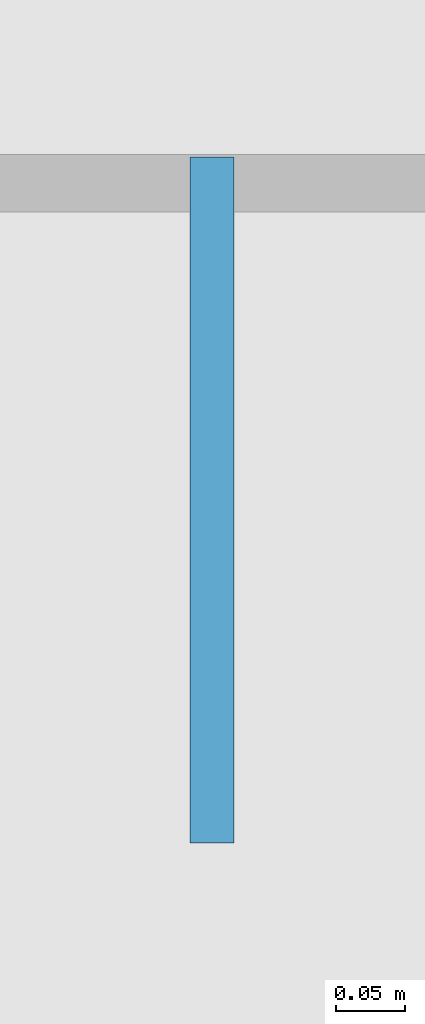
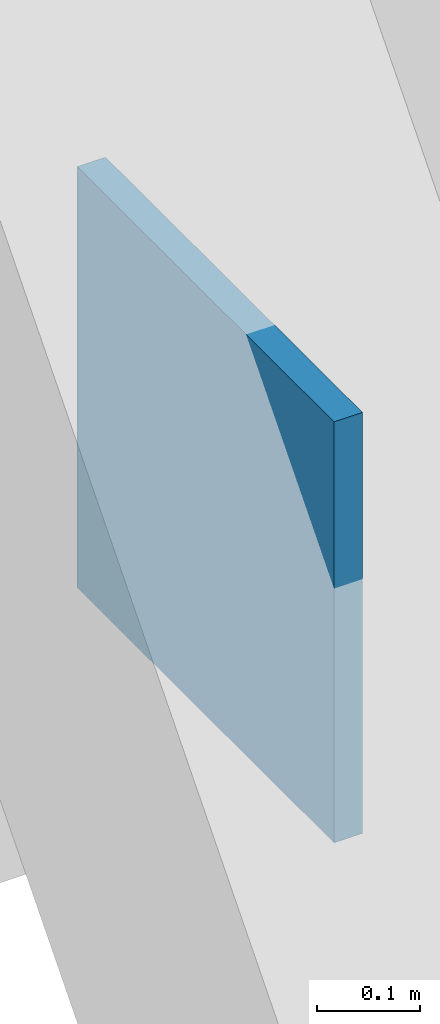
# One storey, part 17 of 30: 1 plate.
"""IFC4 building model written with IfcOpenShell, lengths in metres."""

from ifc_helpers import new_model, si_unit, direction, frame, origin, origin_2d, place, context, subcontext, project, spatial, rectangle, extrude, material, layer, layer_set, type_object, element, save


model = new_model("IFC4")

# Units and contexts
model_context = context("Model", 3, precision=1e-05, world=origin(), true_north=direction((0.0, 1.0)))
body_context = subcontext(model_context, "Body", "Model", "MODEL_VIEW")
ifc_project = project(units=[si_unit("LENGTHUNIT", "METRE"), si_unit("AREAUNIT", "SQUARE_METRE"), si_unit("VOLUMEUNIT", "CUBIC_METRE"), si_unit("PLANEANGLEUNIT", "RADIAN"), si_unit("MASSUNIT", "GRAM", prefix="KILO")], contexts=[model_context])

# Site, building, storey
site_placement = place(None, origin())
site = spatial("IfcSite", under=ifc_project, at=site_placement, CompositionType="ELEMENT")
building_placement = place(site_placement, origin())
building = spatial("IfcBuilding", under=site, at=building_placement, Name="Punatoya Terracotta Tower", CompositionType="ELEMENT")
storey_placement = place(building_placement, frame((0.0, 0.0, 135.0)))
storey = spatial("IfcBuildingStorey", under=building, at=storey_placement, Name="L31", CompositionType="ELEMENT", Elevation=135.0)

# Plate
ifc_material = material(Name="Steel S460", Category="steel")
ifc_layer = layer(ifc_material, 0.031982421875)
ifc_layer_set = layer_set([ifc_layer], Name="Steel S460")
plate_type = type_object("IfcPlateType", Name="PLT-END-32", PredefinedType="USERDEFINED", material=ifc_layer_set)
plate_placement = place(storey_placement, frame((19.10009765625, 17.947998046875, 0.2880859375), z_axis=(0.0, 0.0, 1.0), x_axis=(0.0, 1.0, 0.0)))
element("IfcPlate", 1, at=plate_placement, inside=storey, type_object=plate_type, Name="L32 Knee-Strut Base Gusset Plate N2", ObjectType="FLANGE_PLATE", PredefinedType="USERDEFINED", context=body_context, shape_type="SweptSolid", body=[
    extrude(rectangle(XDim=0.5, YDim=0.031982421875, at=origin_2d()), origin(), (0.0, 0.0, 1.0), 0.5),
])

save(model, "model.ifc")
